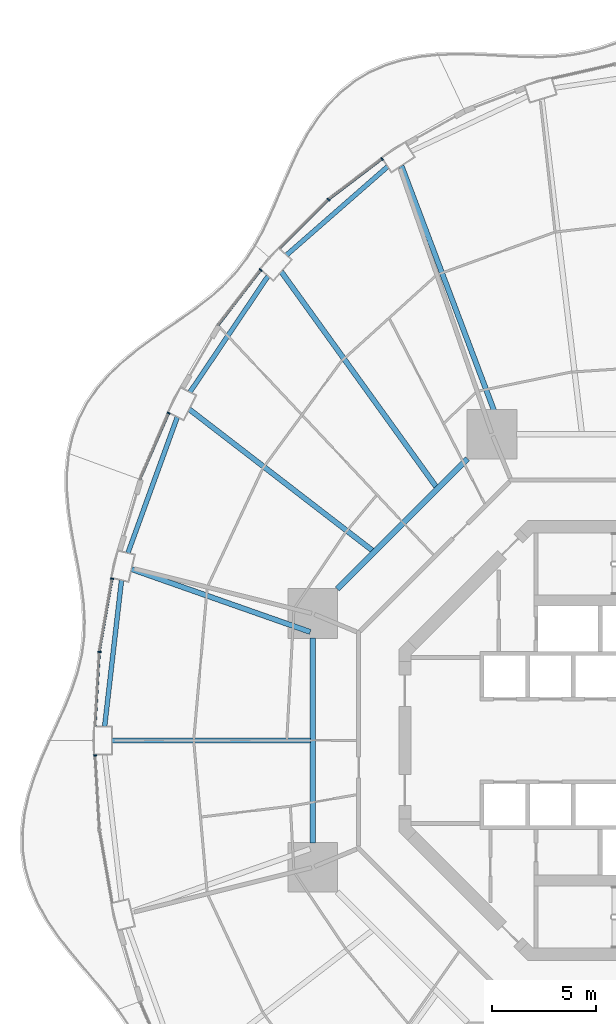
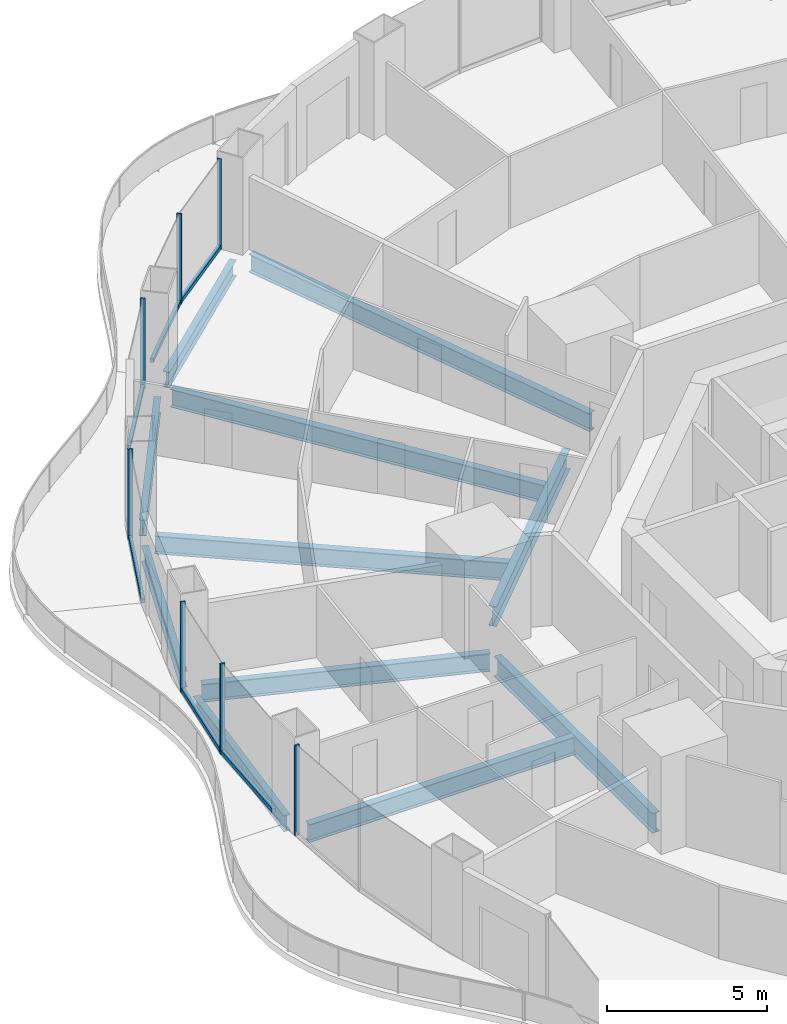
# One storey, part 7 of 22: 13 members, 11 beams, 7 elements without a shape of their own.
"""IFC4 building model written with IfcOpenShell, lengths in metres."""

from ifc_helpers import new_model, si_unit, direction, frame, origin, origin_2d, place, context, subcontext, project, spatial, rectangle, i_section, extrude, material, layer, layer_set, material_profile, profile_set, type_object, element, aggregate, save


model = new_model("IFC4")

# Units and contexts
model_context = context("Model", 3, precision=1e-05, world=origin(), true_north=direction((0.0, 1.0)))
body_context = subcontext(model_context, "Body", "Model", "MODEL_VIEW")
ifc_project = project(units=[si_unit("LENGTHUNIT", "METRE"), si_unit("AREAUNIT", "SQUARE_METRE"), si_unit("VOLUMEUNIT", "CUBIC_METRE"), si_unit("PLANEANGLEUNIT", "RADIAN"), si_unit("MASSUNIT", "GRAM", prefix="KILO")], contexts=[model_context])

# Site, building, storey
site_placement = place(None, origin())
site = spatial("IfcSite", under=ifc_project, at=site_placement, CompositionType="ELEMENT")
building_placement = place(site_placement, origin())
building = spatial("IfcBuilding", under=site, at=building_placement, Name="Nagisa Residences", CompositionType="ELEMENT")
storey_placement = place(building_placement, frame((0.0, 0.0, 49.199951171875)))
storey = spatial("IfcBuildingStorey", under=building, at=storey_placement, Name="L11", CompositionType="ELEMENT", Elevation=49.199951171875)

# Curtain wall, member
ifc_material_1 = material(Name="Concrete-coloured aluminium curtain wall system", Category="concrete")
ifc_layer = layer(ifc_material_1, 0.159912109375)
ifc_layer_set = layer_set([ifc_layer], Name="CW1 CURTAIN WALL")
curtain_wall_type = type_object("IfcCurtainWallType", Name="CW1 CURTAIN WALL", PredefinedType="NOTDEFINED", material=ifc_layer_set)
curtain_wall_1_placement = place(storey_placement, origin())
curtain_wall_1 = element("IfcCurtainWall", 1, at=curtain_wall_1_placement, inside=storey, type_object=curtain_wall_type, Name="cw:CW1:L11:16", PredefinedType="NOTDEFINED")
ifc_material_2 = material(Name="Concrete-coloured aluminium", Category="concrete")
ifc_material_profile_1 = material_profile(ifc_material_2, rectangle(XDim=0.159912109375, YDim=0.06005859375, at=origin_2d()), Name="CW1 MULLION 160x60")
ifc_profile_set_1 = profile_set([ifc_material_profile_1], Name="Concrete-coloured aluminium")
member_type_1 = type_object("IfcMemberType", Name="CW1 MULLION 160x60", PredefinedType="MULLION", material=ifc_profile_set_1)
member_1_placement = place(storey_placement, frame((-11.4326171875, 28.0732421875, 0.0), z_axis=(0.0, 0.0, 1.0), x_axis=(0.605255421737, -0.79603132756, 0.0)))
member_1 = element("IfcMember", 2, at=member_1_placement, type_object=member_type_1, Name="CW1 mullion", PredefinedType="MULLION", context=body_context, shape_type="SweptSolid", body=[
    extrude(rectangle(XDim=0.159912109375, YDim=0.06005859375, at=origin_2d()), origin(), (0.0, 0.0, 1.0), 3.43994140625),
])

curtain_wall_2_placement = place(storey_placement, origin())
curtain_wall_2 = element("IfcCurtainWall", 3, at=curtain_wall_2_placement, inside=storey, type_object=curtain_wall_type, Name="cw:CW1:L11:17", PredefinedType="NOTDEFINED")
member_2_placement = place(storey_placement, frame((-14.018798828125, 26.102783203125, 0.0), z_axis=(0.0, 0.0, 1.0), x_axis=(0.706376885714, -0.707835924016, 0.0)))
member_2 = element("IfcMember", 4, at=member_2_placement, type_object=member_type_1, Name="CW1 mullion", PredefinedType="MULLION", context=body_context, shape_type="SweptSolid", body=[
    extrude(rectangle(XDim=0.159912109375, YDim=0.06005859375, at=origin_2d()), origin(), (0.0, 0.0, 1.0), 3.43994140625),
])

curtain_wall_3_placement = place(storey_placement, origin())
curtain_wall_3 = element("IfcCurtainWall", 5, at=curtain_wall_3_placement, inside=storey, type_object=curtain_wall_type, Name="cw:CW1:L11:18", PredefinedType="NOTDEFINED")
member_3_placement = place(storey_placement, frame((-17.288330078125, 22.70751953125, 0.0), z_axis=(0.0, 0.0, 1.0), x_axis=(0.792070340816, -0.610429828235, 0.0)))
member_3 = element("IfcMember", 6, at=member_3_placement, type_object=member_type_1, Name="CW1 mullion", PredefinedType="MULLION", context=body_context, shape_type="SweptSolid", body=[
    extrude(rectangle(XDim=0.159912109375, YDim=0.06005859375, at=origin_2d()), origin(), (0.0, 0.0, 1.0), 3.43994140625),
])

curtain_wall_4_placement = place(storey_placement, origin())
curtain_wall_4 = element("IfcCurtainWall", 7, at=curtain_wall_4_placement, inside=storey, type_object=curtain_wall_type, Name="cw:CW1:L11:20", PredefinedType="NOTDEFINED")
member_4_placement = place(storey_placement, frame((-21.731689453125, 15.79833984375, 0.0), z_axis=(0.0, 0.0, 1.0), x_axis=(0.917543276295, -0.397635934147, 0.0)))
member_4 = element("IfcMember", 8, at=member_4_placement, type_object=member_type_1, Name="CW1 mullion", PredefinedType="MULLION", context=body_context, shape_type="SweptSolid", body=[
    extrude(rectangle(XDim=0.159912109375, YDim=0.06005859375, at=origin_2d()), origin(), (0.0, 0.0, 1.0), 3.43994140625),
])

curtain_wall_5_placement = place(storey_placement, origin())
curtain_wall_5 = element("IfcCurtainWall", 9, at=curtain_wall_5_placement, inside=storey, type_object=curtain_wall_type, Name="cw:CW1:L11:22", PredefinedType="NOTDEFINED")
member_5_placement = place(storey_placement, frame((-24.458740234375, 7.80810546875, 0.0), z_axis=(0.0, 0.0, 1.0), x_axis=(0.985063604377, -0.172190868898, 0.0)))
member_5 = element("IfcMember", 10, at=member_5_placement, type_object=member_type_1, Name="CW1 mullion", PredefinedType="MULLION", context=body_context, shape_type="SweptSolid", body=[
    extrude(rectangle(XDim=0.159912109375, YDim=0.06005859375, at=origin_2d()), origin(), (0.0, 0.0, 1.0), 3.43994140625),
])

curtain_wall_6_placement = place(storey_placement, origin())
curtain_wall_6 = element("IfcCurtainWall", 11, at=curtain_wall_6_placement, inside=storey, type_object=curtain_wall_type, Name="cw:CW1:L11:23", PredefinedType="NOTDEFINED")
member_6_placement = place(storey_placement, frame((-25.07373046875, 4.272705078125, 0.0), z_axis=(0.0, 0.0, 1.0), x_axis=(0.998345305184, -0.057503492216, 0.0)))
member_6 = element("IfcMember", 12, at=member_6_placement, type_object=member_type_1, Name="CW1 mullion", PredefinedType="MULLION", context=body_context, shape_type="SweptSolid", body=[
    extrude(rectangle(XDim=0.159912109375, YDim=0.06005859375, at=origin_2d()), origin(), (0.0, 0.0, 1.0), 3.43994140625),
])

curtain_wall_7_placement = place(storey_placement, origin())
curtain_wall_7 = element("IfcCurtainWall", 13, at=curtain_wall_7_placement, inside=storey, type_object=curtain_wall_type, Name="cw:CW1:L11:24", PredefinedType="NOTDEFINED")
member_7_placement = place(storey_placement, frame((-25.278076171875, -0.72412109375, 0.0), z_axis=(0.0, 0.0, 1.0), x_axis=(0.998345305184, 0.057503492216, 0.0)))
member_7 = element("IfcMember", 14, at=member_7_placement, type_object=member_type_1, Name="CW1 mullion", PredefinedType="MULLION", context=body_context, shape_type="SweptSolid", body=[
    extrude(rectangle(XDim=0.159912109375, YDim=0.06005859375, at=origin_2d()), origin(), (0.0, 0.0, 1.0), 3.43994140625),
])
aggregate(curtain_wall_7, [member_7])

# Member
ifc_material_3 = material(Name="Concrete-coloured aluminium", Category="concrete")
ifc_material_profile_2 = material_profile(ifc_material_3, rectangle(XDim=0.1201171875, YDim=0.14990234375, at=origin_2d()), Name="CW1 TRANSOM 120x150")
ifc_profile_set_2 = profile_set([ifc_material_profile_2], Name="Concrete-coloured aluminium")
member_type_2 = type_object("IfcMemberType", Name="CW1 TRANSOM 120x150", PredefinedType="USERDEFINED", material=ifc_profile_set_2)
member_8_placement = place(storey_placement, frame((-11.40869140625, 28.091552734375, 0.074951171875), z_axis=(-0.796022293214, -0.605267303517, 0.0), x_axis=(0.605267303517, -0.796022293214, 0.0)))
member_8 = element("IfcMember", 15, at=member_8_placement, type_object=member_type_2, Name="CW1 transom", ObjectType="TRANSOM", PredefinedType="USERDEFINED", context=body_context, shape_type="SweptSolid", body=[
    extrude(rectangle(XDim=0.1201171875, YDim=0.14990234375, at=origin_2d()), origin(), (0.0, 0.0, 1.0), 3.262451171875),
])

aggregate(curtain_wall_1, [member_1, member_8])

member_9_placement = place(storey_placement, frame((-13.99755859375, 26.1240234375, 0.074951171875), z_axis=(-0.707839761606, -0.706373040177, 0.0), x_axis=(0.706373040177, -0.707839761606, 0.0)))
member_9 = element("IfcMember", 16, at=member_9_placement, type_object=member_type_2, Name="CW1 transom", ObjectType="TRANSOM", PredefinedType="USERDEFINED", context=body_context, shape_type="SweptSolid", body=[
    extrude(rectangle(XDim=0.1201171875, YDim=0.14990234375, at=origin_2d()), origin(), (0.0, 0.0, 1.0), 3.3291015625),
])

aggregate(curtain_wall_2, [member_2, member_9])

member_10_placement = place(storey_placement, frame((-17.27001953125, 22.731201171875, 0.074951171875), z_axis=(-0.610457147657, -0.792049285635, 0.0), x_axis=(0.792049285635, -0.610457147657, 0.0)))
member_10 = element("IfcMember", 17, at=member_10_placement, type_object=member_type_2, Name="CW1 transom", ObjectType="TRANSOM", PredefinedType="USERDEFINED", context=body_context, shape_type="SweptSolid", body=[
    extrude(rectangle(XDim=0.1201171875, YDim=0.14990234375, at=origin_2d()), origin(), (0.0, 0.0, 1.0), 3.3974609375),
])

aggregate(curtain_wall_3, [member_3, member_10])

member_11_placement = place(storey_placement, frame((-21.7197265625, 15.825927734375, 0.074951171875), z_axis=(-0.397624958345, -0.917548032803, 0.0), x_axis=(0.917548032803, -0.397624958345, 0.0)))
member_11 = element("IfcMember", 18, at=member_11_placement, type_object=member_type_2, Name="CW1 transom", ObjectType="TRANSOM", PredefinedType="USERDEFINED", context=body_context, shape_type="SweptSolid", body=[
    extrude(rectangle(XDim=0.1201171875, YDim=0.14990234375, at=origin_2d()), origin(), (0.0, 0.0, 1.0), 3.51953125),
])

aggregate(curtain_wall_4, [member_4, member_11])

member_12_placement = place(storey_placement, frame((-24.45361328125, 7.837646484375, 0.074951171875), z_axis=(-0.172163041068, -0.985068468326, 0.0), x_axis=(0.985068468326, -0.172163041068, 0.0)))
member_12 = element("IfcMember", 19, at=member_12_placement, type_object=member_type_2, Name="CW1 transom", ObjectType="TRANSOM", PredefinedType="USERDEFINED", context=body_context, shape_type="SweptSolid", body=[
    extrude(rectangle(XDim=0.1201171875, YDim=0.14990234375, at=origin_2d()), origin(), (0.0, 0.0, 1.0), 3.59765625),
])

aggregate(curtain_wall_5, [member_5, member_12])

member_13_placement = place(storey_placement, frame((-25.072021484375, 4.302734375, 0.074951171875), z_axis=(-0.057482603412, -0.998346508135, 0.0), x_axis=(0.998346508135, -0.057482603412, 0.0)))
member_13 = element("IfcMember", 20, at=member_13_placement, type_object=member_type_2, Name="CW1 transom", ObjectType="TRANSOM", PredefinedType="USERDEFINED", context=body_context, shape_type="SweptSolid", body=[
    extrude(rectangle(XDim=0.1201171875, YDim=0.14990234375, at=origin_2d()), origin(), (0.0, 0.0, 1.0), 3.6142578125),
])

aggregate(curtain_wall_6, [member_6, member_13])

# Beams
ifc_material_4 = material(Name="Steel ASTM A572 Gr 50", Category="steel")
ifc_material_profile_3 = material_profile(ifc_material_4, i_section(OverallWidth=0.264892578125, OverallDepth=0.7529296875, WebThickness=0.01318359375, FlangeThickness=0.01708984375, at=origin_2d()), Name="W760x147")
ifc_profile_set_3 = profile_set([ifc_material_profile_3], Name="Steel ASTM A572 Gr 50")
beam_type_1 = type_object("IfcBeamType", Name="Inner ring beam W760x147", PredefinedType="BEAM", material=ifc_profile_set_3)
beam_1_placement = place(storey_placement, frame((-7.308837890625, 13.59619140625, -0.636474609375), z_axis=(-0.707106781187, -0.707106781187, 0.0), x_axis=(0.707106781187, -0.707106781187, 0.0)))
element("IfcBeam", 21, at=beam_1_placement, inside=storey, type_object=beam_type_1, Name="beam:L11:ib3", PredefinedType="BEAM", context=body_context, shape_type="SweptSolid", body=[
    extrude(i_section(OverallWidth=0.264892578125, OverallDepth=0.7529296875, WebThickness=0.01318359375, FlangeThickness=0.01708984375, at=origin_2d()), origin(), (0.0, 0.0, 1.0), 8.8916015625),
])
beam_2_placement = place(storey_placement, frame((-14.781982421875, 4.94287109375, -0.636474609375), z_axis=(0.0, -1.0, 0.0), x_axis=(1.0, 0.0, 0.0)))
element("IfcBeam", 22, at=beam_2_placement, inside=storey, type_object=beam_type_1, Name="beam:L11:ib4", PredefinedType="BEAM", context=body_context, shape_type="SweptSolid", body=[
    extrude(i_section(OverallWidth=0.264892578125, OverallDepth=0.7529296875, WebThickness=0.01318359375, FlangeThickness=0.01708984375, at=origin_2d()), origin(), (0.0, 0.0, 1.0), 9.8857421875),
])
ifc_material_5 = material(Name="Steel ASTM A572 Gr 50", Category="steel")
ifc_material_profile_4 = material_profile(ifc_material_5, i_section(OverallWidth=0.22802734375, OverallDepth=0.60302734375, WebThickness=0.010498046875, FlangeThickness=0.014892578125, at=origin_2d()), Name="W610x101")
ifc_profile_set_4 = profile_set([ifc_material_profile_4], Name="Steel ASTM A572 Gr 50")
beam_type_2 = type_object("IfcBeamType", Name="Perimeter ring beam W610x101", PredefinedType="BEAM", material=ifc_profile_set_4)
beam_3_placement = place(storey_placement, frame((-11.166748046875, 27.693603515625, -0.5615234375), z_axis=(-0.752574357292, -0.658507279191, 0.0), x_axis=(0.658507279191, -0.752574357292, 0.0)))
element("IfcBeam", 23, at=beam_3_placement, inside=storey, type_object=beam_type_2, Name="beam:L11:pb09", PredefinedType="BEAM", context=body_context, shape_type="SweptSolid", body=[
    extrude(i_section(OverallWidth=0.22802734375, OverallDepth=0.60302734375, WebThickness=0.010498046875, FlangeThickness=0.014892578125, at=origin_2d()), origin(), (0.0, 0.0, 1.0), 6.47021484375),
])
beam_4_placement = place(storey_placement, frame((-16.935302734375, 22.411865234375, -0.5615234375), z_axis=(-0.558296806041, -0.829641293792, 0.0), x_axis=(0.829641293792, -0.558296806041, 0.0)))
element("IfcBeam", 24, at=beam_4_placement, inside=storey, type_object=beam_type_2, Name="beam:L11:pb10", PredefinedType="BEAM", context=body_context, shape_type="SweptSolid", body=[
    extrude(i_section(OverallWidth=0.22802734375, OverallDepth=0.60302734375, WebThickness=0.010498046875, FlangeThickness=0.014892578125, at=origin_2d()), origin(), (0.0, 0.0, 1.0), 6.74169921875),
])
beam_5_placement = place(storey_placement, frame((-21.315673828125, 15.60595703125, -0.5615234375), z_axis=(-0.341411143183, -0.939914055279, 0.0), x_axis=(0.939914055279, -0.341411143183, 0.0)))
element("IfcBeam", 25, at=beam_5_placement, inside=storey, type_object=beam_type_2, Name="beam:L11:pb11", PredefinedType="BEAM", context=body_context, shape_type="SweptSolid", body=[
    extrude(i_section(OverallWidth=0.22802734375, OverallDepth=0.60302734375, WebThickness=0.010498046875, FlangeThickness=0.014892578125, at=origin_2d()), origin(), (0.0, 0.0, 1.0), 6.96923828125),
])
beam_6_placement = place(storey_placement, frame((-24.00732421875, 7.7314453125, -0.5615234375), z_axis=(-0.114707660057, -0.993399291687, 0.0), x_axis=(0.993399291687, -0.114707660057, 0.0)))
element("IfcBeam", 26, at=beam_6_placement, inside=storey, type_object=beam_type_2, Name="beam:L11:pb12", PredefinedType="BEAM", context=body_context, shape_type="SweptSolid", body=[
    extrude(i_section(OverallWidth=0.22802734375, OverallDepth=0.60302734375, WebThickness=0.010498046875, FlangeThickness=0.014892578125, at=origin_2d()), origin(), (0.0, 0.0, 1.0), 7.09814453125),
])
ifc_material_6 = material(Name="Steel ASTM A572 Gr 50", Category="steel")
ifc_material_profile_5 = material_profile(ifc_material_6, i_section(OverallWidth=0.25390625, OverallDepth=0.68408203125, WebThickness=0.012451171875, FlangeThickness=0.018798828125, at=origin_2d()), Name="W690x140")
ifc_profile_set_5 = profile_set([ifc_material_profile_5], Name="Steel ASTM A572 Gr 50")
beam_type_3 = type_object("IfcBeamType", Name="Radial beam W690x140", PredefinedType="BEAM", material=ifc_profile_set_5)
beam_7_placement = place(storey_placement, frame((-10.493896484375, 27.7333984375, -0.60205078125), z_axis=(0.353887892206, -0.935287848606, 0.0), x_axis=(0.935287848606, 0.353887892206, 0.0)))
element("IfcBeam", 27, at=beam_7_placement, inside=storey, type_object=beam_type_3, Name="beam:L11:rb09", PredefinedType="BEAM", context=body_context, shape_type="SweptSolid", body=[
    extrude(i_section(OverallWidth=0.25390625, OverallDepth=0.68408203125, WebThickness=0.012451171875, FlangeThickness=0.018798828125, at=origin_2d()), origin(), (0.0, 0.0, 1.0), 13.725830078125),
])
beam_8_placement = place(storey_placement, frame((-16.29443359375, 22.62255859375, -0.60205078125), z_axis=(0.58445507622, -0.811426068031, 0.0), x_axis=(0.811426068031, 0.58445507622, 0.0)))
element("IfcBeam", 28, at=beam_8_placement, inside=storey, type_object=beam_type_3, Name="beam:L11:rb10", PredefinedType="BEAM", context=body_context, shape_type="SweptSolid", body=[
    extrude(i_section(OverallWidth=0.25390625, OverallDepth=0.68408203125, WebThickness=0.012451171875, FlangeThickness=0.018798828125, at=origin_2d()), origin(), (0.0, 0.0, 1.0), 12.78955078125),
])
beam_9_placement = place(storey_placement, frame((-20.73486328125, 15.982666015625, -0.60205078125), z_axis=(0.792016146736, -0.610500141941, 0.0), x_axis=(0.610500141941, 0.792016146736, 0.0)))
element("IfcBeam", 29, at=beam_9_placement, inside=storey, type_object=beam_type_3, Name="beam:L11:rb11", PredefinedType="BEAM", context=body_context, shape_type="SweptSolid", body=[
    extrude(i_section(OverallWidth=0.25390625, OverallDepth=0.68408203125, WebThickness=0.012451171875, FlangeThickness=0.018798828125, at=origin_2d()), origin(), (0.0, 0.0, 1.0), 11.160888671875),
])
beam_10_placement = place(storey_placement, frame((-23.520751953125, 8.26806640625, -0.60205078125), z_axis=(0.943414535235, -0.331615763659, 0.0), x_axis=(0.331615763659, 0.943414535235, 0.0)))
element("IfcBeam", 30, at=beam_10_placement, inside=storey, type_object=beam_type_3, Name="beam:L11:rb12", PredefinedType="BEAM", context=body_context, shape_type="SweptSolid", body=[
    extrude(i_section(OverallWidth=0.25390625, OverallDepth=0.68408203125, WebThickness=0.012451171875, FlangeThickness=0.018798828125, at=origin_2d()), origin(), (0.0, 0.0, 1.0), 9.142333984375),
])
beam_11_placement = place(storey_placement, frame((-24.469970703125, 0.0, -0.60205078125), z_axis=(1.0, 0.0, 0.0), x_axis=(0.0, 1.0, 0.0)))
element("IfcBeam", 31, at=beam_11_placement, inside=storey, type_object=beam_type_3, Name="beam:L11:rb13", PredefinedType="BEAM", context=body_context, shape_type="SweptSolid", body=[
    extrude(i_section(OverallWidth=0.25390625, OverallDepth=0.68408203125, WebThickness=0.012451171875, FlangeThickness=0.018798828125, at=origin_2d()), origin(), (0.0, 0.0, 1.0), 9.575439453125),
])

save(model, "model.ifc")
